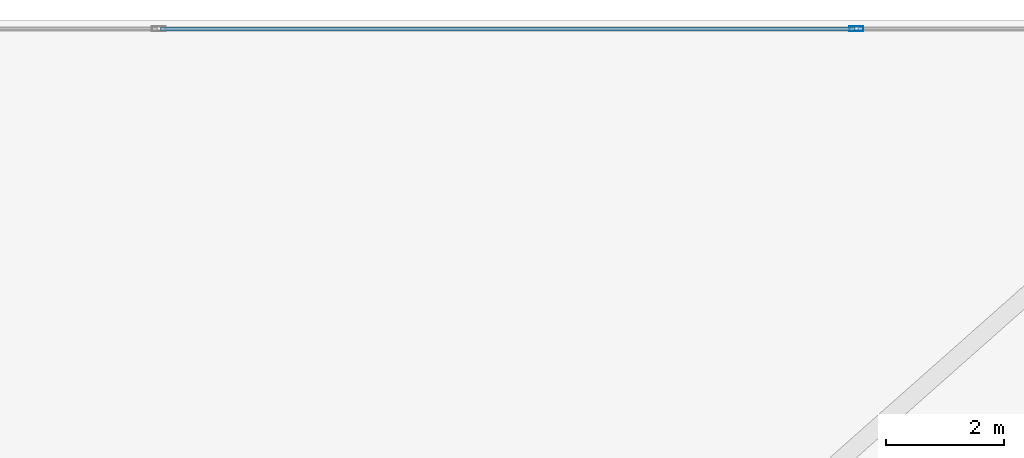
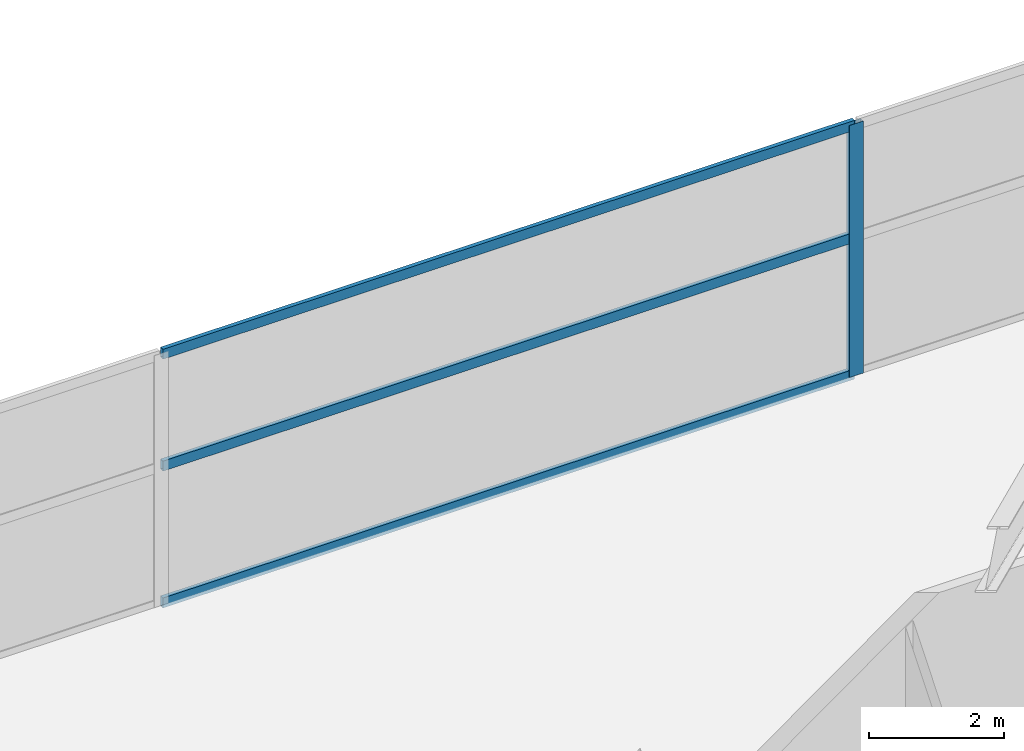
# One storey, part 17 of 30: 4 members, 1 element without a shape of its own.
"""IFC4 building model written with IfcOpenShell, lengths in metres."""

from ifc_helpers import new_model, si_unit, direction, frame, origin, origin_2d, place, context, subcontext, project, spatial, hollow_rectangle, extrude, material, layer, layer_set, material_profile, profile_set, type_object, element, aggregate, save


model = new_model("IFC4")

# Units and contexts
model_context = context("Model", 3, precision=1e-05, world=origin(), true_north=direction((0.0, 1.0)))
body_context = subcontext(model_context, "Body", "Model", "MODEL_VIEW")
ifc_project = project(units=[si_unit("LENGTHUNIT", "METRE"), si_unit("AREAUNIT", "SQUARE_METRE"), si_unit("VOLUMEUNIT", "CUBIC_METRE"), si_unit("PLANEANGLEUNIT", "RADIAN"), si_unit("MASSUNIT", "GRAM", prefix="KILO")], contexts=[model_context])

# Site, building, storey
site_placement = place(None, origin())
site = spatial("IfcSite", under=ifc_project, at=site_placement, CompositionType="ELEMENT")
building_placement = place(site_placement, origin())
building = spatial("IfcBuilding", under=site, at=building_placement, Name="Calvorn Quay Hotel", CompositionType="ELEMENT")
storey_placement = place(building_placement, frame((0.0, 0.0, 17.0)))
storey = spatial("IfcBuildingStorey", under=building, at=storey_placement, Name="L03", CompositionType="ELEMENT", Elevation=17.0)

# Curtain wall, members
ifc_material_1 = material(Name="Pale Anodised Aluminium and Low-E Glass", Category="aluminium")
ifc_layer = layer(ifc_material_1, 0.219970703125)
ifc_layer_set = layer_set([ifc_layer], Name="CW-SYS-POD")
curtain_wall_type = type_object("IfcCurtainWallType", Name="CW-SYS-POD", PredefinedType="NOTDEFINED", material=ifc_layer_set)
curtain_wall_placement = place(storey_placement, origin())
curtain_wall = element("IfcCurtainWall", 1, at=curtain_wall_placement, inside=storey, type_object=curtain_wall_type, Name="Podium Curtain Wall L03-N1", PredefinedType="NOTDEFINED")
ifc_material_2 = material(Name="Pale Anodised Aluminium 6063-T6", Category="aluminium")
ifc_material_profile_1 = material_profile(ifc_material_2, hollow_rectangle(XDim=0.080078125, YDim=0.239990234375, WallThickness=0.0048828125, at=origin_2d()), Name="ALU-M240x80x5")
ifc_profile_set_1 = profile_set([ifc_material_profile_1], Name="Pale Anodised Aluminium 6063-T6")
member_type_1 = type_object("IfcMemberType", Name="CW-SYS-POD-MUL", PredefinedType="MULLION", material=ifc_profile_set_1)
member_1_placement = place(storey_placement, frame((26.13330078125, 55.35009765625, 0.0), z_axis=(0.0, 0.0, 1.0), x_axis=(0.0, 1.0, 0.0)))
member_1 = element("IfcMember", 2, at=member_1_placement, type_object=member_type_1, Name="CW-L03-N1 mullion 3", PredefinedType="MULLION", context=body_context, shape_type="SweptSolid", body=[
    extrude(hollow_rectangle(XDim=0.080078125, YDim=0.239990234375, WallThickness=0.0048828125, at=origin_2d()), origin(), (0.0, 0.0, 1.0), 4.550048828125),
])
ifc_material_3 = material(Name="Pale Anodised Aluminium 6063-T6", Category="aluminium")
ifc_material_profile_2 = material_profile(ifc_material_3, hollow_rectangle(XDim=0.070068359375, YDim=0.179931640625, WallThickness=0.00390625, at=origin_2d()), Name="ALU-T180x70x4")
ifc_profile_set_2 = profile_set([ifc_material_profile_2], Name="Pale Anodised Aluminium 6063-T6")
member_type_2 = type_object("IfcMemberType", Name="CW-SYS-POD-TRN", PredefinedType="USERDEFINED", material=ifc_profile_set_2)
member_2_placement = place(storey_placement, frame((14.296630859375, 55.35009765625, 0.030029296875), z_axis=(1.0, 0.0, 0.0), x_axis=(0.0, 1.0, 0.0)))
member_2 = element("IfcMember", 3, at=member_2_placement, type_object=member_type_2, Name="CW-L03-N1 transom 2.1", ObjectType="TRANSOM", PredefinedType="USERDEFINED", context=body_context, shape_type="SweptSolid", body=[
    extrude(hollow_rectangle(XDim=0.070068359375, YDim=0.179931640625, WallThickness=0.00390625, at=origin_2d()), origin(), (0.0, 0.0, 1.0), 11.806640625),
])
member_3_placement = place(storey_placement, frame((14.296630859375, 55.35009765625, 2.5), z_axis=(1.0, 0.0, 0.0), x_axis=(0.0, 1.0, 0.0)))
member_3 = element("IfcMember", 4, at=member_3_placement, type_object=member_type_2, Name="CW-L03-N1 transom 2.2", ObjectType="TRANSOM", PredefinedType="USERDEFINED", context=body_context, shape_type="SweptSolid", body=[
    extrude(hollow_rectangle(XDim=0.070068359375, YDim=0.179931640625, WallThickness=0.00390625, at=origin_2d()), origin(), (0.0, 0.0, 1.0), 11.806640625),
])
member_4_placement = place(storey_placement, frame((14.296630859375, 55.35009765625, 4.52001953125), z_axis=(1.0, 0.0, 0.0), x_axis=(0.0, 1.0, 0.0)))
member_4 = element("IfcMember", 5, at=member_4_placement, type_object=member_type_2, Name="CW-L03-N1 transom 2.3", ObjectType="TRANSOM", PredefinedType="USERDEFINED", context=body_context, shape_type="SweptSolid", body=[
    extrude(hollow_rectangle(XDim=0.070068359375, YDim=0.179931640625, WallThickness=0.00390625, at=origin_2d()), origin(), (0.0, 0.0, 1.0), 11.806640625),
])
aggregate(curtain_wall, [member_1, member_2, member_3, member_4])

save(model, "model.ifc")
